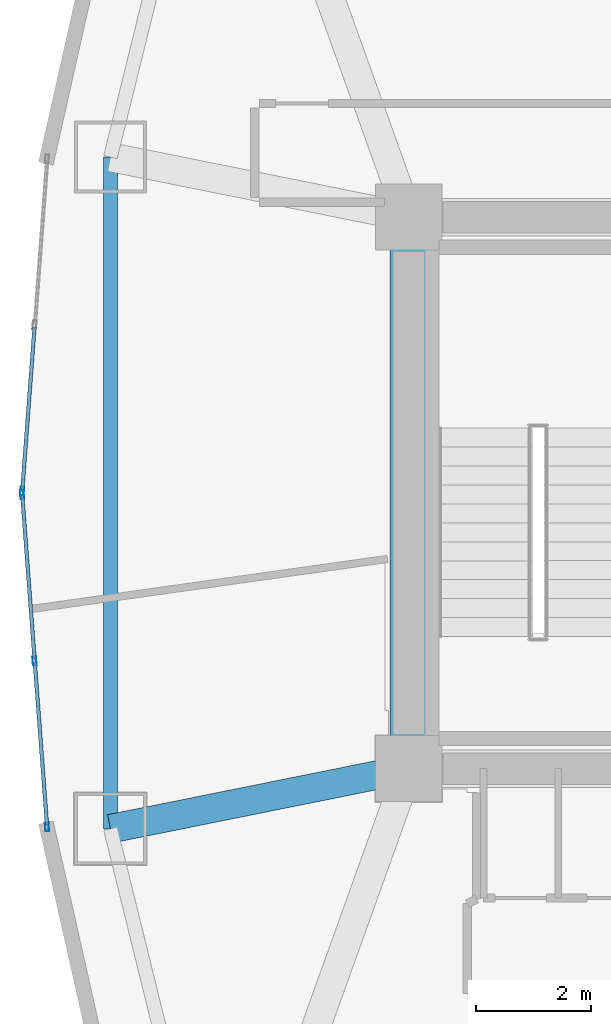
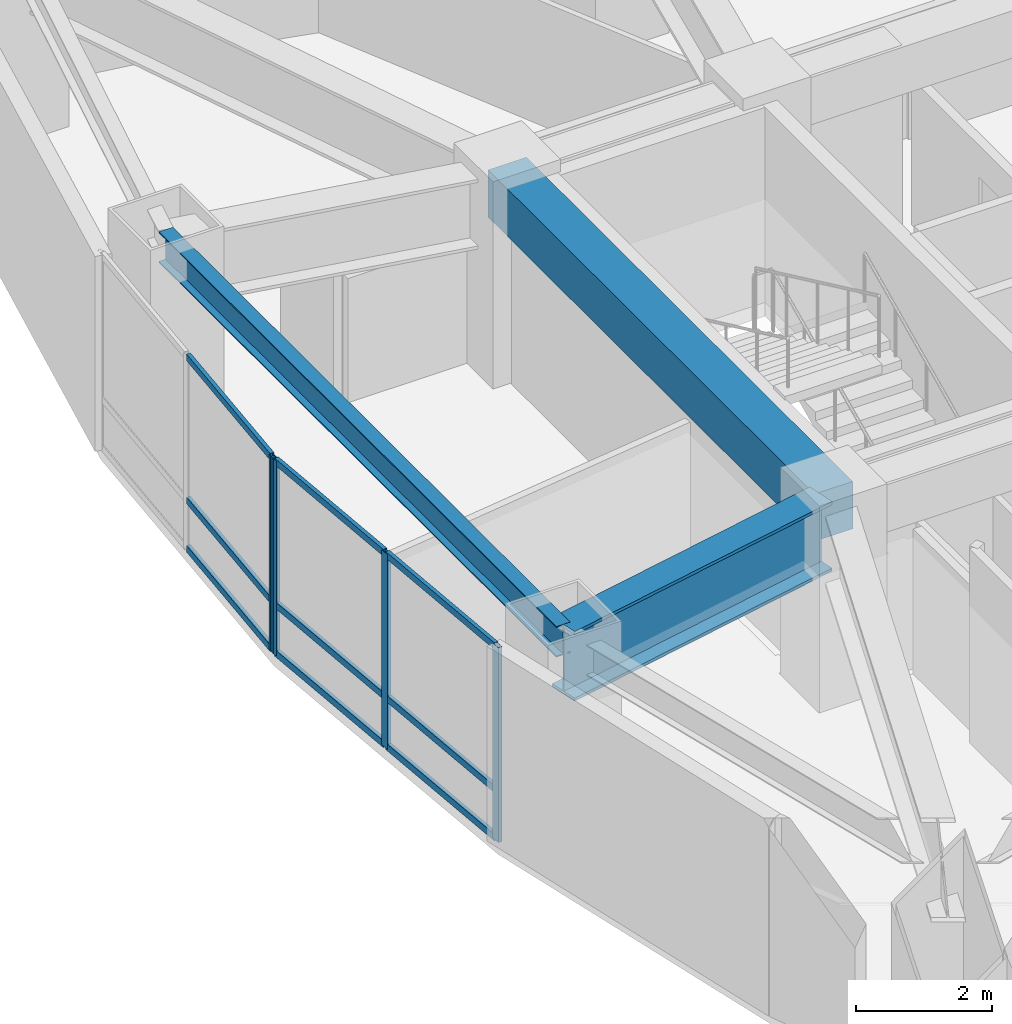
# One storey, part 3 of 17: 13 members, 3 beams, 2 elements without a shape of their own.
"""IFC4 building model written with IfcOpenShell, lengths in metres."""

import ifcopenshell
import ifcopenshell.guid

model = None  # the IFC model being written
_history = None  # IfcOwnerHistory: only IFC2X3 demands one
_inside = {}  # id of a spatial element -> (the spatial element, [elements in it])
_under = {}  # id of a project, library or spatial element -> (it, [spatial elements below it])
_declared = {}  # id of a project -> (the project, [libraries it declares])
_typed = {}  # id of a type object -> (the type object, [elements of that type])
_made_of = {}  # id of a material, layer set ... -> (it, [elements and type objects made of it])


def new_model(schema):
    """Start an empty IFC model of exactly this schema.

    Asked for "IFC4X3", IfcOpenShell would pick the latest addendum, in which some entities
    have other attributes; the version numbers below select the first issue.
    IFC2X3 requires an IfcOwnerHistory on every rooted entity: one is made here for all.
    """
    global model, _history
    if schema == "IFC4X3":
        model = ifcopenshell.file(schema_version=(4, 3, 0, 0))
    else:
        model = ifcopenshell.file(schema=schema)
    _inside.clear()
    _under.clear()
    _declared.clear()
    _typed.clear()
    _made_of.clear()
    _history = None
    if model.schema == "IFC2X3":
        org = make("IfcOrganization", Name="unknown")
        user = make(
            "IfcPersonAndOrganization",
            ThePerson=make("IfcPerson", FamilyName="unknown"),
            TheOrganization=org,
        )
        app = make(
            "IfcApplication",
            ApplicationDeveloper=org,
            Version="unknown",
            ApplicationFullName="unknown",
            ApplicationIdentifier="unknown",
        )
        _history = make(
            "IfcOwnerHistory",
            OwningUser=user,
            OwningApplication=app,
            ChangeAction="ADDED",
            CreationDate=0,
        )
    return model


def make(cls, **values):
    """One entity of the class cls with the attributes given. An attribute that is None is left unset."""
    return model.create_entity(
        cls, **{name: value for name, value in values.items() if value is not None}
    )


def rooted(cls, **values):
    """An entity with a GlobalId (a new one), such as an element, a storey or a relation."""
    return make(cls, GlobalId=ifcopenshell.guid.new(), OwnerHistory=_history, **values)


def si_unit(unit_type, name, prefix=None):
    """IfcSIUnit, for example si_unit("LENGTHUNIT", "METRE", prefix="MILLI")."""
    return make("IfcSIUnit", UnitType=unit_type, Prefix=prefix, Name=name)


def assignment(units):
    """IfcUnitAssignment: the units of a project."""
    return None if units is None else make("IfcUnitAssignment", Units=units)


def point(xyz):
    """IfcCartesianPoint."""
    return None if xyz is None else make("IfcCartesianPoint", Coordinates=xyz)


def direction(xyz):
    """IfcDirection."""
    return None if xyz is None else make("IfcDirection", DirectionRatios=xyz)


def frame(location, z_axis=None, x_axis=None):
    """IfcAxis2Placement3D, a coordinate frame: its origin and axes. An axis left out is left unset."""
    return make(
        "IfcAxis2Placement3D",
        Location=point(location),
        Axis=direction(z_axis),
        RefDirection=direction(x_axis),
    )


def frame_2d(location, x_axis=None):
    """IfcAxis2Placement2D, a coordinate frame in the plane: its origin and x axis."""
    return make(
        "IfcAxis2Placement2D", Location=point(location), RefDirection=direction(x_axis)
    )


def origin():
    """The frame at (0, 0, 0) with its axes left unset."""
    return frame((0.0, 0.0, 0.0))


def origin_2d():
    """The frame at (0, 0) in the plane with its x axis left unset."""
    return frame_2d((0.0, 0.0))


def place(relative_to, where):
    """IfcLocalPlacement: puts the frame where relative to a parent placement (None: the world)."""
    return make(
        "IfcLocalPlacement", PlacementRelTo=relative_to, RelativePlacement=where
    )


def context(
    kind, dimensions, precision=None, world=None, true_north=None, identifier=None
):
    """IfcGeometricRepresentationContext, for example the 3D "Model" context."""
    return make(
        "IfcGeometricRepresentationContext",
        ContextIdentifier=identifier,
        ContextType=kind,
        CoordinateSpaceDimension=dimensions,
        Precision=precision,
        WorldCoordinateSystem=world,
        TrueNorth=true_north,
    )


def subcontext(parent, identifier, kind, view, scale=None):
    """IfcGeometricRepresentationSubContext, for example "Body" below "Model"."""
    return make(
        "IfcGeometricRepresentationSubContext",
        ContextIdentifier=identifier,
        ContextType=kind,
        ParentContext=parent,
        TargetScale=scale,
        TargetView=view,
    )


def project(units=None, contexts=None):
    """IfcProject with its units and contexts."""
    return rooted(
        "IfcProject",
        Name="project",
        RepresentationContexts=contexts,
        UnitsInContext=assignment(units),
    )


def spatial(cls, under=None, at=None, **own):
    """A site, building, storey or space (cls), placed at a placement, below another one or the project."""
    s = rooted(cls, ObjectPlacement=at, **own)
    if under is not None:
        _under.setdefault(under.id(), (under, []))[1].append(s)
    return s


def profile(cls, at=None, kind="AREA", **sizes):
    """A parametric profile (cls). Its sizes go by their IFC names, for example OverallWidth=200.0."""
    return make(cls, ProfileType=kind, Position=at, **sizes)


def rectangle(**sizes):
    """IfcRectangleProfileDef."""
    return profile("IfcRectangleProfileDef", **sizes)


def hollow_rectangle(**sizes):
    """IfcRectangleHollowProfileDef."""
    return profile("IfcRectangleHollowProfileDef", **sizes)


def i_section(**sizes):
    """IfcIShapeProfileDef."""
    return profile("IfcIShapeProfileDef", **sizes)


def extrude(swept, where, along, depth):
    """IfcExtrudedAreaSolid: the profile swept, set in the frame where, extruded along a direction by depth."""
    return make(
        "IfcExtrudedAreaSolid",
        SweptArea=swept,
        Position=where,
        ExtrudedDirection=direction(along),
        Depth=depth,
    )


def shape(context_of_items, identifier, shape_type, items):
    """IfcShapeRepresentation: the items that make up one representation, for example the "Body"."""
    return make(
        "IfcShapeRepresentation",
        ContextOfItems=context_of_items,
        RepresentationIdentifier=identifier,
        RepresentationType=shape_type,
        Items=items,
    )


def material(Name=None, Category=None):
    """IfcMaterial."""
    return make("IfcMaterial", Name=Name, Category=Category)


def layer(
    of_material, thickness, ventilated=None, Name=None, Category=None, Priority=None
):
    """IfcMaterialLayer: one layer of a wall or slab, of a material (None: an air gap)."""
    return make(
        "IfcMaterialLayer",
        Material=of_material,
        LayerThickness=thickness,
        IsVentilated=ventilated,
        Name=Name,
        Category=Category,
        Priority=Priority,
    )


def layer_set(layers, Name=None):
    """IfcMaterialLayerSet."""
    return make("IfcMaterialLayerSet", MaterialLayers=layers, LayerSetName=Name)


def material_profile(
    of_material, cross_section, Name=None, Category=None, Priority=None
):
    """IfcMaterialProfile: a cross section and its material."""
    return make(
        "IfcMaterialProfile",
        Name=Name,
        Material=of_material,
        Profile=cross_section,
        Priority=Priority,
        Category=Category,
    )


def profile_set(profiles, Name=None, composite=None):
    """IfcMaterialProfileSet."""
    return make(
        "IfcMaterialProfileSet",
        Name=Name,
        MaterialProfiles=profiles,
        CompositeProfile=composite,
    )


def made_of(thing, what):
    """Note that an element or type object is made of a material, layer set ...; save() writes the relation."""
    if what is not None:
        _made_of.setdefault(what.id(), (what, []))[1].append(thing)
    return thing


def type_object(cls, material=None, **own):
    """A type object (cls), such as IfcWallType, which elements share."""
    return made_of(rooted(cls, **own), material)


def element(
    cls,
    number,
    at=None,
    inside=None,
    cuts=None,
    type_object=None,
    material=None,
    context=None,
    identifier="Body",
    shape_type=None,
    held_by="IfcProductDefinitionShape",
    body=None,
    shapes=None,
    **own,
):
    """One element of the class cls, such as IfcWall. Its Tag is "e" and its number.

    at: its placement. inside: the storey or other place that contains it. cuts: it is an
    opening in that element (IfcRelVoidsElement). A single representation is given by context,
    identifier, shape_type and body (its items); several are given by shapes. held_by: the class
    of the entity that holds the representations. save() writes the other relations.
    """
    e = rooted(cls, Tag="e%d" % number, ObjectPlacement=at, **own)
    if body is not None:
        shapes = [shape(context, identifier, shape_type, body)]
    if shapes is not None:
        e.Representation = make(held_by, Representations=shapes)
    if inside is not None:
        _inside.setdefault(inside.id(), (inside, []))[1].append(e)
    if cuts is not None:
        rooted(
            "IfcRelVoidsElement", RelatingBuildingElement=cuts, RelatedOpeningElement=e
        )
    if type_object is not None:
        _typed.setdefault(type_object.id(), (type_object, []))[1].append(e)
    return made_of(e, material)


def aggregate(whole, parts):
    """IfcRelAggregates: a whole, such as a stair, and the parts it consists of."""
    return rooted("IfcRelAggregates", RelatingObject=whole, RelatedObjects=parts)


def save(model, path):
    """Write the relations noted so far, then the file.

    IfcRelAggregates (storeys below a building ...), IfcRelContainedInSpatialStructure (elements
    in a storey), IfcRelDefinesByType, IfcRelAssociatesMaterial and IfcRelDeclares: one each for
    every whole, place, type object, material and project.
    """
    for whole, parts in _under.values():
        aggregate(whole, parts)
    for where, things in _inside.values():
        rooted(
            "IfcRelContainedInSpatialStructure",
            RelatedElements=things,
            RelatingStructure=where,
        )
    for kind, things in _typed.values():
        rooted("IfcRelDefinesByType", RelatedObjects=things, RelatingType=kind)
    for what, things in _made_of.values():
        rooted("IfcRelAssociatesMaterial", RelatedObjects=things, RelatingMaterial=what)
    for by, libraries in _declared.values():
        rooted("IfcRelDeclares", RelatingContext=by, RelatedDefinitions=libraries)
    model.write(path)


model = new_model("IFC4")

# Units and contexts
model_context = context("Model", 3, precision=1e-05, world=origin(), true_north=direction((0.0, 1.0)))
body_context = subcontext(model_context, "Body", "Model", "MODEL_VIEW")
ifc_project = project(units=[si_unit("LENGTHUNIT", "METRE"), si_unit("AREAUNIT", "SQUARE_METRE"), si_unit("VOLUMEUNIT", "CUBIC_METRE"), si_unit("PLANEANGLEUNIT", "RADIAN"), si_unit("MASSUNIT", "GRAM", prefix="KILO")], contexts=[model_context])

# Site, building, storey
site_placement = place(None, origin())
site = spatial("IfcSite", under=ifc_project, at=site_placement, CompositionType="ELEMENT")
building_placement = place(site_placement, origin())
building = spatial("IfcBuilding", under=site, at=building_placement, Name="Menara Vayukalpa", CompositionType="ELEMENT")
storey_placement = place(building_placement, frame((0.0, 0.0, 133.739990234375)))
storey = spatial("IfcBuildingStorey", under=building, at=storey_placement, Name="L33", CompositionType="ELEMENT", Elevation=133.739990234375)

# Beams
ifc_material_1 = material(Name="Concrete C60/75", Category="concrete")
ifc_material_profile_1 = material_profile(ifc_material_1, rectangle(XDim=0.64990234375, YDim=0.85009765625, at=origin_2d()), Name="RC 650x850")
ifc_profile_set_1 = profile_set([ifc_material_profile_1], Name="Concrete C60/75")
beam_type_1 = type_object("IfcBeamType", Name="BM-CB1", PredefinedType="BEAM", material=ifc_profile_set_1)
beam_1_placement = place(storey_placement, frame((17.800048828125, 17.199951171875, 3.074951171875), z_axis=(0.0, 1.0, 0.0), x_axis=(-1.0, 0.0, 0.0)))
element("IfcBeam", 1, at=beam_1_placement, inside=storey, type_object=beam_type_1, Name="L33 Core Tie Beam CBR7", PredefinedType="BEAM", context=body_context, shape_type="SweptSolid", body=[
    extrude(rectangle(XDim=0.64990234375, YDim=0.85009765625, at=origin_2d()), origin(), (0.0, 0.0, 1.0), 9.60009765625),
])
ifc_material_2 = material(Name="Steel S355", Category="steel")
ifc_material_profile_2 = material_profile(ifc_material_2, i_section(OverallWidth=0.239990234375, OverallDepth=0.550048828125, WebThickness=0.010986328125, FlangeThickness=0.01904296875, at=origin_2d()), Name="WF 550x240x11x19")
ifc_profile_set_2 = profile_set([ifc_material_profile_2], Name="Steel S355")
beam_type_2 = type_object("IfcBeamType", Name="BM-SP2", PredefinedType="SPANDREL", material=ifc_profile_set_2)
beam_2_placement = place(storey_placement, frame((12.606689453125, 27.845703125, 3.22509765625), z_axis=(0.0, -1.0, 0.0), x_axis=(1.0, 0.0, 0.0)))
element("IfcBeam", 2, at=beam_2_placement, inside=storey, type_object=beam_type_2, Name="L33 Perimeter Spandrel Beam SP05", PredefinedType="SPANDREL", context=body_context, shape_type="SweptSolid", body=[
    extrude(i_section(OverallWidth=0.239990234375, OverallDepth=0.550048828125, WebThickness=0.010986328125, FlangeThickness=0.01904296875, at=origin_2d()), origin(), (0.0, 0.0, 1.0), 11.69140625),
])
ifc_material_3 = material(Name="Steel S460", Category="steel")
ifc_material_profile_3 = material_profile(ifc_material_3, i_section(OverallWidth=0.5, OverallDepth=1.25, WebThickness=0.028076171875, FlangeThickness=0.054931640625, at=origin_2d()), Name="WG 1250x500x28x55")
ifc_profile_set_3 = profile_set([ifc_material_profile_3], Name="Steel S460")
beam_type_3 = type_object("IfcBeamType", Name="BM-TG2", PredefinedType="BEAM", material=ifc_profile_set_3)
beam_3_placement = place(storey_placement, frame((17.554931640625, 17.150634765625, 2.875), z_axis=(-0.980324984906, -0.197390283373, 0.0), x_axis=(0.197390283373, -0.980324984906, 0.0)))
element("IfcBeam", 3, at=beam_3_placement, inside=storey, type_object=beam_type_3, Name="L33 Primary Radial Girder RG06", PredefinedType="BEAM", context=body_context, shape_type="SweptSolid", body=[
    extrude(i_section(OverallWidth=0.5, OverallDepth=1.25, WebThickness=0.028076171875, FlangeThickness=0.054931640625, at=origin_2d()), origin(), (0.0, 0.0, 1.0), 5.047607421875),
])

# Curtain wall, member
ifc_material_4 = material(Name="Anodised Terracotta Aluminium Alloy 6063-T6", Category="masonry")
ifc_layer = layer(ifc_material_4, 0.14990234375)
ifc_layer_set = layer_set([ifc_layer], Name="Anodised Terracotta Aluminium Alloy 6063-T6")
curtain_wall_type = type_object("IfcCurtainWallType", Name="CW-CW3", PredefinedType="USERDEFINED", material=ifc_layer_set)
curtain_wall_1_placement = place(storey_placement, origin())
curtain_wall_1 = element("IfcCurtainWall", 4, at=curtain_wall_1_placement, inside=storey, type_object=curtain_wall_type, Name="L33 Mid Rise Terracotta Ribbon Curtain Wall CW3 10", ObjectType="UNITISED", PredefinedType="USERDEFINED")
ifc_material_5 = material(Name="Anodised Terracotta Aluminium Alloy 6063-T6", Category="masonry")
ifc_material_profile_4 = material_profile(ifc_material_5, hollow_rectangle(XDim=0.06494140625, YDim=0.14990234375, WallThickness=0.00341796875, at=origin_2d()), Name="ALU 65x150x3.5")
ifc_profile_set_4 = profile_set([ifc_material_profile_4], Name="Anodised Terracotta Aluminium Alloy 6063-T6")
member_type_1 = type_object("IfcMemberType", Name="CWM-CW3", PredefinedType="MULLION", material=ifc_profile_set_4)
member_1_placement = place(storey_placement, frame((11.070556640625, 22.032470703125, 0.0), z_axis=(0.0, 0.0, 1.0), x_axis=(0.997199659745, -0.07478528334, 0.0)))
member_1 = element("IfcMember", 5, at=member_1_placement, type_object=member_type_1, Name="CW3 mullion 3", PredefinedType="MULLION", context=body_context, shape_type="SweptSolid", body=[
    extrude(hollow_rectangle(XDim=0.06494140625, YDim=0.14990234375, WallThickness=0.00341796875, at=origin_2d()), origin(), (0.0, 0.0, 1.0), 3.5),
])

# Curtain wall, members
curtain_wall_2_placement = place(storey_placement, origin())
curtain_wall_2 = element("IfcCurtainWall", 6, at=curtain_wall_2_placement, inside=storey, type_object=curtain_wall_type, Name="L33 Mid Rise Terracotta Ribbon Curtain Wall CW3 11", ObjectType="UNITISED", PredefinedType="USERDEFINED")
member_2_placement = place(storey_placement, frame((11.070556640625, 21.967529296875, 0.0), z_axis=(0.0, 0.0, 1.0), x_axis=(0.997199659745, 0.07478528334, 0.0)))
member_2 = element("IfcMember", 7, at=member_2_placement, type_object=member_type_1, Name="CW3 mullion 1", PredefinedType="MULLION", context=body_context, shape_type="SweptSolid", body=[
    extrude(hollow_rectangle(XDim=0.06494140625, YDim=0.14990234375, WallThickness=0.00341796875, at=origin_2d()), origin(), (0.0, 0.0, 1.0), 3.5),
])
member_3_placement = place(storey_placement, frame((11.287353515625, 19.0771484375, 0.0), z_axis=(0.0, 0.0, 1.0), x_axis=(0.997199659745, 0.07478528334, 0.0)))
member_3 = element("IfcMember", 8, at=member_3_placement, type_object=member_type_1, Name="CW3 mullion 2", PredefinedType="MULLION", context=body_context, shape_type="SweptSolid", body=[
    extrude(hollow_rectangle(XDim=0.06494140625, YDim=0.14990234375, WallThickness=0.00341796875, at=origin_2d()), origin(), (0.0, 0.0, 1.0), 3.5),
])
member_4_placement = place(storey_placement, frame((11.504150390625, 16.186767578125, 0.0), z_axis=(0.0, 0.0, 1.0), x_axis=(0.997199659745, 0.07478528334, 0.0)))
member_4 = element("IfcMember", 9, at=member_4_placement, type_object=member_type_1, Name="CW3 mullion 3", PredefinedType="MULLION", context=body_context, shape_type="SweptSolid", body=[
    extrude(hollow_rectangle(XDim=0.06494140625, YDim=0.14990234375, WallThickness=0.00341796875, at=origin_2d()), origin(), (0.0, 0.0, 1.0), 3.5),
])

# Member
ifc_material_6 = material(Name="Anodised Terracotta Aluminium Alloy 6063-T6", Category="masonry")
ifc_material_profile_5 = material_profile(ifc_material_6, hollow_rectangle(XDim=0.06494140625, YDim=0.1201171875, WallThickness=0.00341796875, at=origin_2d()), Name="ALU 65x120x3.5")
ifc_profile_set_5 = profile_set([ifc_material_profile_5], Name="Anodised Terracotta Aluminium Alloy 6063-T6")
member_type_2 = type_object("IfcMemberType", Name="CWT-CW3", PredefinedType="USERDEFINED", material=ifc_profile_set_5)
member_5_placement = place(storey_placement, frame((11.284912109375, 24.890380859375, 0.032470703125), z_axis=(-0.074785664408, -0.997199631167, 0.0), x_axis=(0.997199631167, -0.074785664408, 0.0)))
member_5 = element("IfcMember", 10, at=member_5_placement, type_object=member_type_2, Name="CW3 transom 2.1", ObjectType="TRANSOM", PredefinedType="USERDEFINED", context=body_context, shape_type="SweptSolid", body=[
    extrude(hollow_rectangle(XDim=0.06494140625, YDim=0.1201171875, WallThickness=0.00341796875, at=origin_2d()), origin(), (0.0, 0.0, 1.0), 2.833740234375),
])

member_6_placement = place(storey_placement, frame((11.284912109375, 24.890380859375, 0.89990234375), z_axis=(-0.074785664408, -0.997199631167, 0.0), x_axis=(0.997199631167, -0.074785664408, 0.0)))
member_6 = element("IfcMember", 11, at=member_6_placement, type_object=member_type_2, Name="CW3 transom 2.2", ObjectType="TRANSOM", PredefinedType="USERDEFINED", context=body_context, shape_type="SweptSolid", body=[
    extrude(hollow_rectangle(XDim=0.06494140625, YDim=0.1201171875, WallThickness=0.00341796875, at=origin_2d()), origin(), (0.0, 0.0, 1.0), 2.833740234375),
])

member_7_placement = place(storey_placement, frame((11.284912109375, 24.890380859375, 3.467529296875), z_axis=(-0.074785664408, -0.997199631167, 0.0), x_axis=(0.997199631167, -0.074785664408, 0.0)))
member_7 = element("IfcMember", 12, at=member_7_placement, type_object=member_type_2, Name="CW3 transom 2.3", ObjectType="TRANSOM", PredefinedType="USERDEFINED", context=body_context, shape_type="SweptSolid", body=[
    extrude(hollow_rectangle(XDim=0.06494140625, YDim=0.1201171875, WallThickness=0.00341796875, at=origin_2d()), origin(), (0.0, 0.0, 1.0), 2.833740234375),
])

aggregate(curtain_wall_1, [member_1, member_5, member_6, member_7])

member_8_placement = place(storey_placement, frame((11.072998046875, 21.935302734375, 0.032470703125), z_axis=(0.074785664408, -0.997199631167, 0.0), x_axis=(0.997199631167, 0.074785664408, 0.0)))
member_8 = element("IfcMember", 13, at=member_8_placement, type_object=member_type_2, Name="CW3 transom 1.1", ObjectType="TRANSOM", PredefinedType="USERDEFINED", context=body_context, shape_type="SweptSolid", body=[
    extrude(hollow_rectangle(XDim=0.06494140625, YDim=0.1201171875, WallThickness=0.00341796875, at=origin_2d()), origin(), (0.0, 0.0, 1.0), 2.833740234375),
])

member_9_placement = place(storey_placement, frame((11.072998046875, 21.935302734375, 0.89990234375), z_axis=(0.074785664408, -0.997199631167, 0.0), x_axis=(0.997199631167, 0.074785664408, 0.0)))
member_9 = element("IfcMember", 14, at=member_9_placement, type_object=member_type_2, Name="CW3 transom 1.2", ObjectType="TRANSOM", PredefinedType="USERDEFINED", context=body_context, shape_type="SweptSolid", body=[
    extrude(hollow_rectangle(XDim=0.06494140625, YDim=0.1201171875, WallThickness=0.00341796875, at=origin_2d()), origin(), (0.0, 0.0, 1.0), 2.833740234375),
])

member_10_placement = place(storey_placement, frame((11.072998046875, 21.935302734375, 3.467529296875), z_axis=(0.074785664408, -0.997199631167, 0.0), x_axis=(0.997199631167, 0.074785664408, 0.0)))
member_10 = element("IfcMember", 15, at=member_10_placement, type_object=member_type_2, Name="CW3 transom 1.3", ObjectType="TRANSOM", PredefinedType="USERDEFINED", context=body_context, shape_type="SweptSolid", body=[
    extrude(hollow_rectangle(XDim=0.06494140625, YDim=0.1201171875, WallThickness=0.00341796875, at=origin_2d()), origin(), (0.0, 0.0, 1.0), 2.833740234375),
])

member_11_placement = place(storey_placement, frame((11.289794921875, 19.044677734375, 0.032470703125), z_axis=(0.074792090342, -0.997199149229, 0.0), x_axis=(0.997199149229, 0.074792090342, 0.0)))
member_11 = element("IfcMember", 16, at=member_11_placement, type_object=member_type_2, Name="CW3 transom 2.1", ObjectType="TRANSOM", PredefinedType="USERDEFINED", context=body_context, shape_type="SweptSolid", body=[
    extrude(hollow_rectangle(XDim=0.06494140625, YDim=0.1201171875, WallThickness=0.00341796875, at=origin_2d()), origin(), (0.0, 0.0, 1.0), 2.83349609375),
])

member_12_placement = place(storey_placement, frame((11.289794921875, 19.044677734375, 0.89990234375), z_axis=(0.074792090342, -0.997199149229, 0.0), x_axis=(0.997199149229, 0.074792090342, 0.0)))
member_12 = element("IfcMember", 17, at=member_12_placement, type_object=member_type_2, Name="CW3 transom 2.2", ObjectType="TRANSOM", PredefinedType="USERDEFINED", context=body_context, shape_type="SweptSolid", body=[
    extrude(hollow_rectangle(XDim=0.06494140625, YDim=0.1201171875, WallThickness=0.00341796875, at=origin_2d()), origin(), (0.0, 0.0, 1.0), 2.83349609375),
])

member_13_placement = place(storey_placement, frame((11.289794921875, 19.044677734375, 3.467529296875), z_axis=(0.074792090342, -0.997199149229, 0.0), x_axis=(0.997199149229, 0.074792090342, 0.0)))
member_13 = element("IfcMember", 18, at=member_13_placement, type_object=member_type_2, Name="CW3 transom 2.3", ObjectType="TRANSOM", PredefinedType="USERDEFINED", context=body_context, shape_type="SweptSolid", body=[
    extrude(hollow_rectangle(XDim=0.06494140625, YDim=0.1201171875, WallThickness=0.00341796875, at=origin_2d()), origin(), (0.0, 0.0, 1.0), 2.83349609375),
])

aggregate(curtain_wall_2, [member_2, member_3, member_4, member_8, member_9, member_10, member_11, member_12, member_13])

save(model, "model.ifc")
